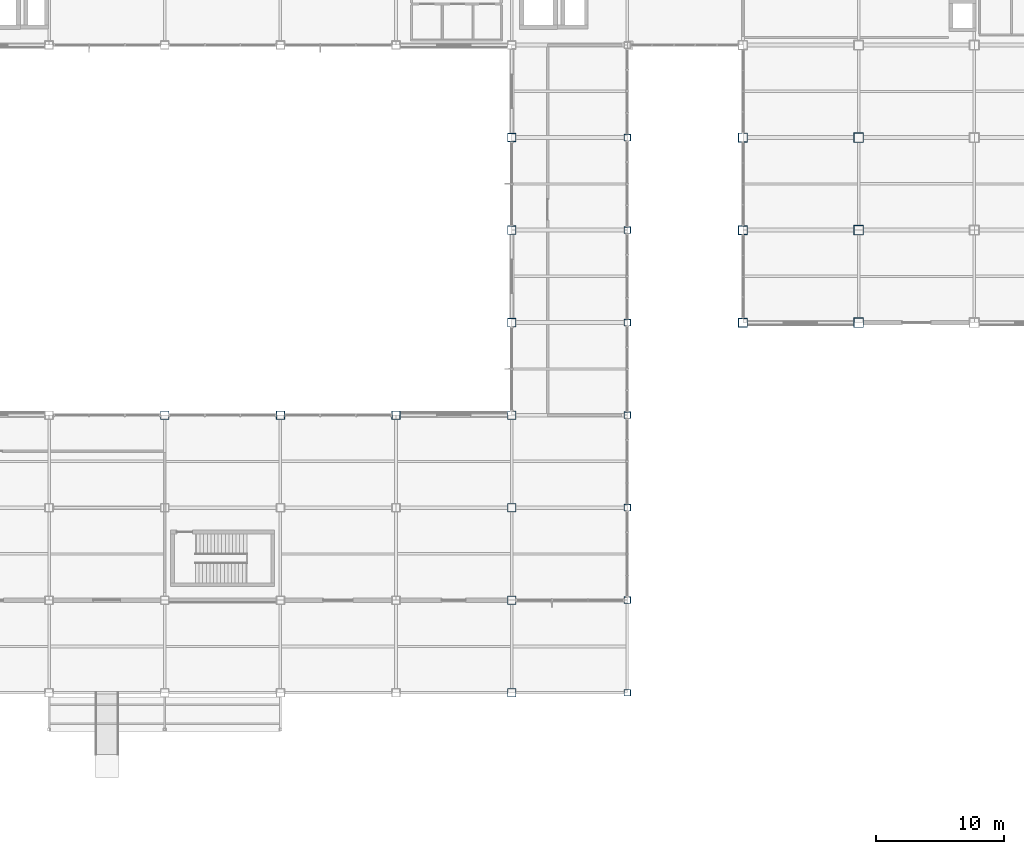
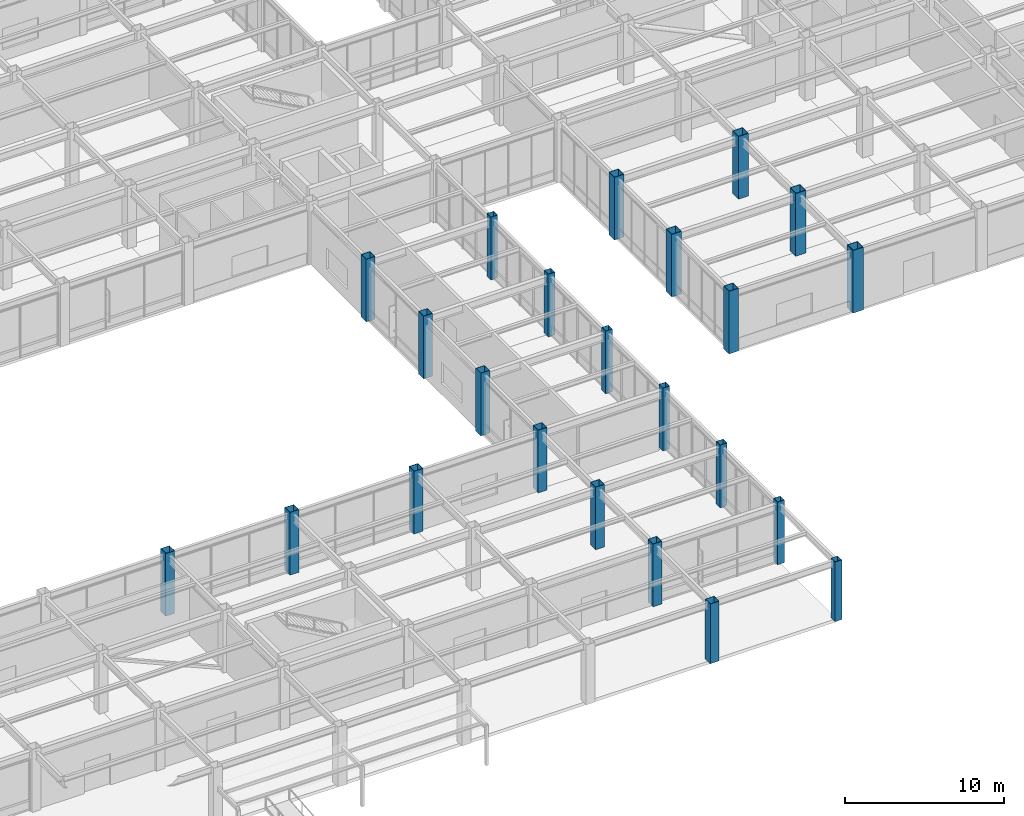
# One storey, part 7 of 112: 23 columns.
"""IFC4 building model written with IfcOpenShell, lengths in metres."""

from ifc_helpers import new_model, si_unit, direction, frame, origin, origin_2d, place, context, subcontext, project, spatial, hollow_rectangle, extrude, material, material_profile, profile_set, type_object, element, save


model = new_model("IFC4")

# Units and contexts
model_context = context("Model", 3, precision=1e-05, world=origin(), true_north=direction((0.0, 1.0)))
body_context = subcontext(model_context, "Body", "Model", "MODEL_VIEW")
ifc_project = project(units=[si_unit("LENGTHUNIT", "METRE"), si_unit("AREAUNIT", "SQUARE_METRE"), si_unit("VOLUMEUNIT", "CUBIC_METRE"), si_unit("PLANEANGLEUNIT", "RADIAN"), si_unit("MASSUNIT", "GRAM", prefix="KILO")], contexts=[model_context])

# Site, building, storey
site_placement = place(None, origin())
site = spatial("IfcSite", under=ifc_project, at=site_placement, CompositionType="ELEMENT")
building_placement = place(site_placement, origin())
building = spatial("IfcBuilding", under=site, at=building_placement, Name="Kazanami Central Library", CompositionType="ELEMENT")
storey_placement = place(building_placement, origin())
storey = spatial("IfcBuildingStorey", under=building, at=storey_placement, Name="L01", CompositionType="ELEMENT", Elevation=0.0)

# Columns
ifc_material = material(Name="Steel BCP325 (325 MPa)", Category="steel")
ifc_material_profile_1 = material_profile(ifc_material, hollow_rectangle(XDim=0.5, YDim=0.5, WallThickness=0.02197265625, at=origin_2d()), Name="BCP-500x500x22")
ifc_profile_set_1 = profile_set([ifc_material_profile_1], Name="Steel BCP325 (325 MPa)")
column_type_1 = type_object("IfcColumnType", Name="COL-C-P1E", PredefinedType="COLUMN", material=ifc_profile_set_1)
column_1_placement = place(storey_placement, frame((108.0, 14.39990234375, 0.0), z_axis=(0.0, 0.0, 1.0), x_axis=(1.0, 0.0, 0.0)))
element("IfcColumn", 1, at=column_1_placement, inside=storey, type_object=column_type_1, Name="Column C-P1E L01 13/C", PredefinedType="COLUMN", context=body_context, shape_type="SweptSolid", body=[
    extrude(hollow_rectangle(XDim=0.5, YDim=0.5, WallThickness=0.02197265625, at=origin_2d()), origin(), (0.0, 0.0, 1.0), 4.580078125),
])
for number, where, z_axis, x_axis, name in (
    (2, (108.0, 21.60009765625, 0.0), (0.0, 0.0, 1.0), (1.0, 0.0, 0.0), "Column C-P1E L01 13/D"),
    (3, (108.0, 28.800048828125, 0.0), (0.0, 0.0, 1.0), (1.0, 0.0, 0.0), "Column C-P1E L01 13/E"),
    (4, (108.0, 36.0, 0.0), (0.0, 0.0, 1.0), (1.0, 0.0, 0.0), "Column C-P1E L01 13/F"),
    (5, (108.0, 43.199951171875, 0.0), (0.0, 0.0, 1.0), (1.0, 0.0, 0.0), "Column C-P1E L01 13/G"),
    (6, (108.0, 50.39990234375, 0.0), (0.0, 0.0, 1.0), (1.0, 0.0, 0.0), "Column C-P1E L01 13/H"),
    (7, (108.0, 57.60009765625, 0.0), (0.0, 0.0, 1.0), (1.0, 0.0, 0.0), "Column C-P1E L01 13/J"),
):
    element("IfcColumn", number, at=place(storey_placement, frame(where, z_axis=z_axis, x_axis=x_axis)), inside=storey, type_object=column_type_1, Name=name, PredefinedType="COLUMN", context=body_context, shape_type="SweptSolid", body=[
        extrude(hollow_rectangle(XDim=0.5, YDim=0.5, WallThickness=0.02197265625, at=origin_2d()), origin(), (0.0, 0.0, 1.0), 4.800048828125),
    ])
ifc_material_profile_2 = material_profile(ifc_material, hollow_rectangle(XDim=0.64990234375, YDim=0.64990234375, WallThickness=0.02490234375, at=origin_2d()), Name="BCP-650x650x25")
ifc_profile_set_2 = profile_set([ifc_material_profile_2], Name="Steel BCP325 (325 MPa)")
column_type_2 = type_object("IfcColumnType", Name="COL-C-P1I", PredefinedType="COLUMN", material=ifc_profile_set_2)
for number, where, z_axis, x_axis, name in (
    (8, (72.0, 36.0, 0.0), (0.0, 0.0, 1.0), (1.0, 0.0, 0.0), "Column C-P1I L01 9/F"),
    (9, (81.0, 36.0, 0.0), (0.0, 0.0, 1.0), (1.0, 0.0, 0.0), "Column C-P1I L01 10/F"),
    (10, (90.0, 36.0, 0.0), (0.0, 0.0, 1.0), (1.0, 0.0, 0.0), "Column C-P1I L01 11/F"),
):
    element("IfcColumn", number, at=place(storey_placement, frame(where, z_axis=z_axis, x_axis=x_axis)), inside=storey, type_object=column_type_2, Name=name, PredefinedType="COLUMN", context=body_context, shape_type="SweptSolid", body=[
        extrude(hollow_rectangle(XDim=0.64990234375, YDim=0.64990234375, WallThickness=0.02490234375, at=origin_2d()), origin(), (0.0, 0.0, 1.0), 4.800048828125),
    ])
column_2_placement = place(storey_placement, frame((99.0, 14.39990234375, 0.0), z_axis=(0.0, 0.0, 1.0), x_axis=(1.0, 0.0, 0.0)))
element("IfcColumn", 11, at=column_2_placement, inside=storey, type_object=column_type_2, Name="Column C-P1I L01 12/C", PredefinedType="COLUMN", context=body_context, shape_type="SweptSolid", body=[
    extrude(hollow_rectangle(XDim=0.64990234375, YDim=0.64990234375, WallThickness=0.02490234375, at=origin_2d()), origin(), (0.0, 0.0, 1.0), 4.580078125),
])
for number, where, z_axis, x_axis, name in (
    (12, (99.0, 21.60009765625, 0.0), (0.0, 0.0, 1.0), (1.0, 0.0, 0.0), "Column C-P1I L01 12/D"),
    (13, (99.0, 28.800048828125, 0.0), (0.0, 0.0, 1.0), (1.0, 0.0, 0.0), "Column C-P1I L01 12/E"),
    (14, (99.0, 36.0, 0.0), (0.0, 0.0, 1.0), (1.0, 0.0, 0.0), "Column C-P1I L01 12/F"),
    (15, (99.0, 43.199951171875, 0.0), (0.0, 0.0, 1.0), (1.0, 0.0, 0.0), "Column C-P1I L01 12/G"),
    (16, (99.0, 50.39990234375, 0.0), (0.0, 0.0, 1.0), (1.0, 0.0, 0.0), "Column C-P1I L01 12/H"),
    (17, (99.0, 57.60009765625, 0.0), (0.0, 0.0, 1.0), (1.0, 0.0, 0.0), "Column C-P1I L01 12/J"),
):
    element("IfcColumn", number, at=place(storey_placement, frame(where, z_axis=z_axis, x_axis=x_axis)), inside=storey, type_object=column_type_2, Name=name, PredefinedType="COLUMN", context=body_context, shape_type="SweptSolid", body=[
        extrude(hollow_rectangle(XDim=0.64990234375, YDim=0.64990234375, WallThickness=0.02490234375, at=origin_2d()), origin(), (0.0, 0.0, 1.0), 4.800048828125),
    ])
ifc_material_profile_3 = material_profile(ifc_material, hollow_rectangle(XDim=0.75, YDim=0.75, WallThickness=0.031982421875, at=origin_2d()), Name="BCP-750x750x32")
ifc_profile_set_3 = profile_set([ifc_material_profile_3], Name="Steel BCP325 (325 MPa)")
column_type_3 = type_object("IfcColumnType", Name="COL-C-T1I", PredefinedType="COLUMN", material=ifc_profile_set_3)
for number, where, z_axis, x_axis, name in (
    (18, (126.0, 43.199951171875, 0.0), (0.0, 0.0, 1.0), (1.0, 0.0, 0.0), "Column C-T1I L01 15/G"),
    (19, (126.0, 50.39990234375, 0.0), (0.0, 0.0, 1.0), (1.0, 0.0, 0.0), "Column C-T1I L01 15/H"),
    (20, (126.0, 57.60009765625, 0.0), (0.0, 0.0, 1.0), (1.0, 0.0, 0.0), "Column C-T1I L01 15/J"),
):
    element("IfcColumn", number, at=place(storey_placement, frame(where, z_axis=z_axis, x_axis=x_axis)), inside=storey, type_object=column_type_3, Name=name, PredefinedType="COLUMN", context=body_context, shape_type="SweptSolid", body=[
        extrude(hollow_rectangle(XDim=0.75, YDim=0.75, WallThickness=0.031982421875, at=origin_2d()), origin(), (0.0, 0.0, 1.0), 4.800048828125),
    ])
ifc_material_profile_4 = material_profile(ifc_material, hollow_rectangle(XDim=0.699951171875, YDim=0.699951171875, WallThickness=0.028076171875, at=origin_2d()), Name="BCP-700x700x28")
ifc_profile_set_4 = profile_set([ifc_material_profile_4], Name="Steel BCP325 (325 MPa)")
column_type_4 = type_object("IfcColumnType", Name="COL-C-T1P", PredefinedType="COLUMN", material=ifc_profile_set_4)
for number, where, z_axis, x_axis, name in (
    (21, (117.0, 43.199951171875, 0.0), (0.0, 0.0, 1.0), (1.0, 0.0, 0.0), "Column C-T1P L01 14/G"),
    (22, (117.0, 50.39990234375, 0.0), (0.0, 0.0, 1.0), (1.0, 0.0, 0.0), "Column C-T1P L01 14/H"),
    (23, (117.0, 57.60009765625, 0.0), (0.0, 0.0, 1.0), (1.0, 0.0, 0.0), "Column C-T1P L01 14/J"),
):
    element("IfcColumn", number, at=place(storey_placement, frame(where, z_axis=z_axis, x_axis=x_axis)), inside=storey, type_object=column_type_4, Name=name, PredefinedType="COLUMN", context=body_context, shape_type="SweptSolid", body=[
        extrude(hollow_rectangle(XDim=0.699951171875, YDim=0.699951171875, WallThickness=0.028076171875, at=origin_2d()), origin(), (0.0, 0.0, 1.0), 4.800048828125),
    ])

save(model, "model.ifc")
